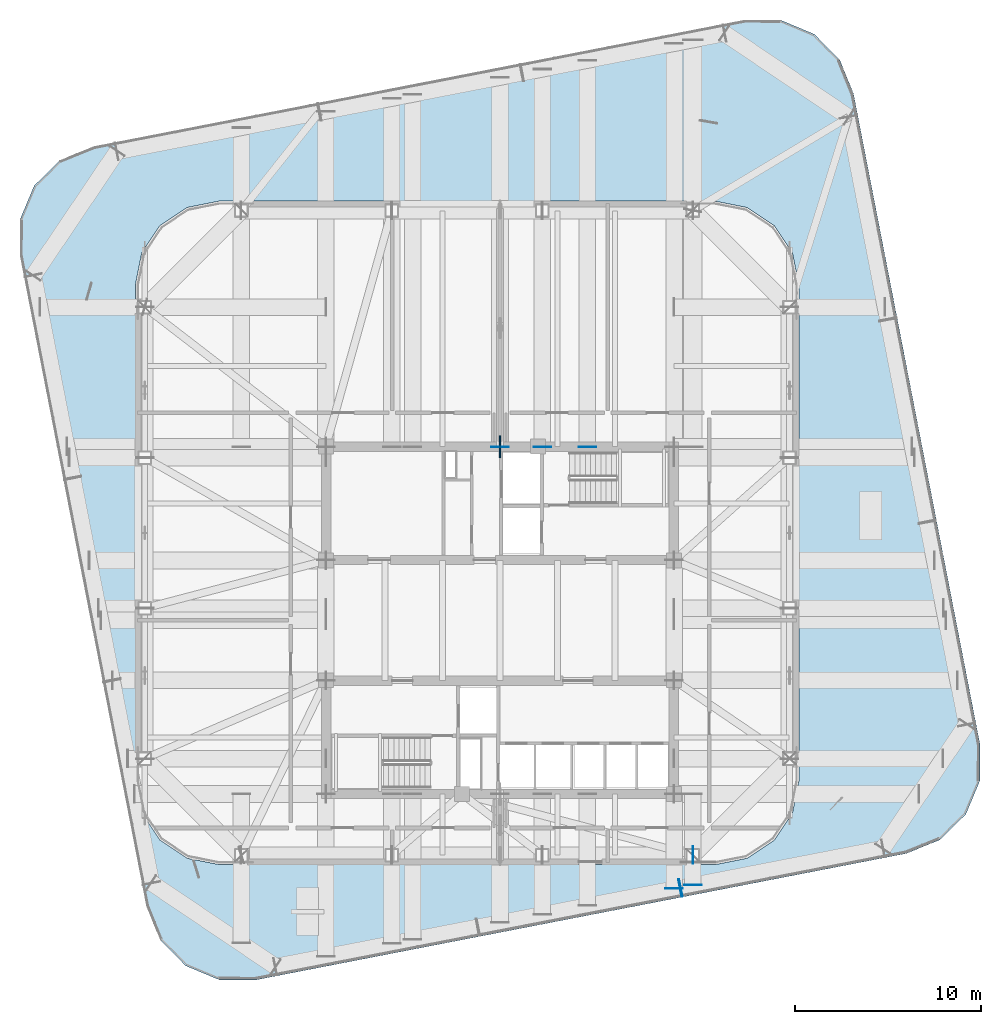
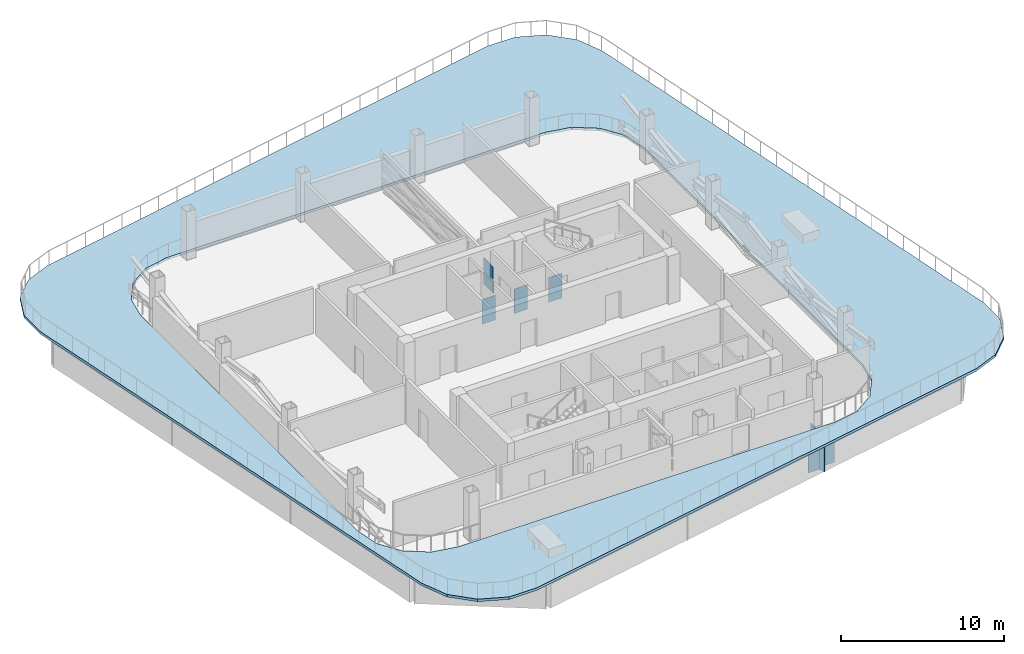
# One storey, part 5 of 14: 10 plates, 1 slab.
"""IFC4 building model written with IfcOpenShell, lengths in metres."""

from ifc_helpers import new_model, si_unit, direction, frame, origin, origin_2d, place, context, subcontext, project, spatial, polyline, rectangle, outline, extrude, material, layer, layer_set, type_object, element, save


model = new_model("IFC4")

# Units and contexts
model_context = context("Model", 3, precision=1e-05, world=origin(), true_north=direction((0.0, 1.0)))
body_context = subcontext(model_context, "Body", "Model", "MODEL_VIEW")
ifc_project = project(units=[si_unit("LENGTHUNIT", "METRE"), si_unit("AREAUNIT", "SQUARE_METRE"), si_unit("VOLUMEUNIT", "CUBIC_METRE"), si_unit("PLANEANGLEUNIT", "RADIAN"), si_unit("MASSUNIT", "GRAM", prefix="KILO")], contexts=[model_context])

# Site, building, storey
site_placement = place(None, origin())
site = spatial("IfcSite", under=ifc_project, at=site_placement, CompositionType="ELEMENT")
building_placement = place(site_placement, origin())
building = spatial("IfcBuilding", under=site, at=building_placement, Name="Qhalaya Broadcast Tower", CompositionType="ELEMENT")
storey_placement = place(building_placement, frame((0.0, 0.0, 144.60009765625)))
storey = spatial("IfcBuildingStorey", under=building, at=storey_placement, Name="L42", CompositionType="ELEMENT", Elevation=144.60009765625)

# Plates
ifc_material_1 = material(Name="Structural Steel ASTM A572 Grade 50", Category="steel")
ifc_layer_1 = layer(ifc_material_1, 0.4599609375, Name="Structural Steel ASTM A572 Grade 50")
ifc_layer_set_1 = layer_set([ifc_layer_1], Name="Structural Steel ASTM A572 Grade 50")
plate_type_1 = type_object("IfcPlateType", Name="Hollow Box Member End Cap Plate CP-01", PredefinedType="USERDEFINED", material=ifc_layer_set_1)
for number, where, z_axis, x_axis, name in (
    (1, (10.39599609375, -12.0400390625, -2.10009765625), (0.0, 0.0, 1.0), (0.0, 1.0, 0.0), "L42 Hollow Girder End Cap L42-SPR-03-B"),
    (2, (9.728271484375, -13.79736328125, -2.10009765625), (0.0, 0.0, 1.0), (-0.190808995377, 0.981627183448, 0.0), "L42 Hollow Girder End Cap L42-TGL-02-B"),
    (3, (9.697021484375, -13.803466796875, -2.10009765625), (0.0, 0.0, 1.0), (-0.190808995377, 0.981627183448, 0.0), "L42 Hollow Girder End Cap L42-TGL-03-A"),
    (4, (0.0, 9.93408203125, -2.10009765625), (0.0, 0.0, 1.0), (-1.0, 0.0, 0.0), "L42 Hollow Girder End Cap L42-TGIMN-1-A"),
    (5, (4.699951171875, 9.93408203125, -2.10009765625), (0.0, 0.0, 1.0), (-1.0, 0.0, 0.0), "L42 Hollow Girder End Cap L42-TGIMNE-1-A"),
    (6, (9.375, -13.84130859375, -2.10009765625), (0.0, 0.0, 1.0), (-1.0, 0.0, 0.0), "L42 Hollow Girder End Cap L42-TGISE-1-A"),
    (7, (10.3798828125, -13.64599609375, -2.10009765625), (0.0, 0.0, 1.0), (-1.0, 0.0, 0.0), "L42 Hollow Girder End Cap L42-TGC-04-A"),
    (8, (2.280029296875, 9.93408203125, -2.10009765625), (0.0, 0.0, 1.0), (-1.0, 0.0, 0.0), "L42 Hollow Girder End Cap L42-TGC-10-A"),
):
    element("IfcPlate", number, at=place(storey_placement, frame(where, z_axis=z_axis, x_axis=x_axis)), inside=storey, type_object=plate_type_1, Name=name, ObjectType="COVER_PLATE", PredefinedType="USERDEFINED", context=body_context, shape_type="SweptSolid", body=[
        extrude(rectangle(XDim=0.93994140625, YDim=0.031982421875, at=origin_2d()), origin(), (0.0, 0.0, 1.0), 1.840087890625),
    ])
ifc_layer_2 = layer(ifc_material_1, 0.06005859375, Name="Structural Steel ASTM A572 Grade 50")
ifc_layer_set_2 = layer_set([ifc_layer_2], Name="Structural Steel ASTM A572 Grade 50")
plate_type_2 = type_object("IfcPlateType", Name="Outrigger Core Embed Gusset Plate NP-02", PredefinedType="USERDEFINED", material=ifc_layer_set_2)
for number, where, z_axis, x_axis, name in (
    (9, (0.0, 9.949951171875, 0.39990234375), (0.0, 0.0, 1.0), (0.0, 1.0, 0.0), "L42 Outrigger Gusset Node NC-C0"),
    (10, (0.0, 9.949951171875, 1.449951171875), (0.0, 0.0, 1.0), (0.0, 1.0, 0.0), "L42 Outrigger Gusset Node NC-C1"),
):
    element("IfcPlate", number, at=place(storey_placement, frame(where, z_axis=z_axis, x_axis=x_axis)), inside=storey, type_object=plate_type_2, Name=name, ObjectType="GUSSET_PLATE", PredefinedType="USERDEFINED", context=body_context, shape_type="SweptSolid", body=[
        extrude(rectangle(XDim=1.199951171875, YDim=0.06005859375, at=origin_2d()), origin(), (0.0, 0.0, 1.0), 0.89990234375),
    ])

# Slab
ifc_material_2 = material(Name="Concrete C40/50", Category="concrete")
ifc_layer_3 = layer(ifc_material_2, 0.25, Name="Concrete C40/50")
ifc_layer_set_3 = layer_set([ifc_layer_3], Name="Concrete C40/50")
slab_type = type_object("IfcSlabType", Name="Planted Sky-Garden & Sky-Pool External Terrace Slab 250", PredefinedType="FLOOR", material=ifc_layer_set_3)
slab_placement = place(storey_placement, frame((0.0, 0.0, -0.190185546875)))
element("IfcSlab", 11, at=slab_placement, inside=storey, type_object=slab_type, Name="L42 Planted Sky Garden Terrace 1", PredefinedType="FLOOR", context=body_context, shape_type="SweptSolid", body=[
    extrude(outline(polyline([(21.882080078125, -11.944091796875), (23.687744140625, -11.20556640625), (25.0732421875, -9.83203125), (25.82763671875, -8.032958984375), (25.836181640625, -6.08203125), (19.024169921875, 28.9619140625), (18.285400390625, 30.767578125), (16.912109375, 32.1533203125), (15.11279296875, 32.90771484375), (13.162109375, 32.916015625), (-21.882080078125, 26.104248046875), (-23.687744140625, 25.365478515625), (-25.0732421875, 23.9921875), (-25.82763671875, 22.19287109375), (-25.836181640625, 20.2421875), (-19.024169921875, -14.802001953125), (-18.285400390625, -16.607666015625), (-16.912109375, -17.9931640625), (-15.11279296875, -18.74755859375), (-13.162109375, -18.756103515625), (21.882080078125, -11.944091796875)]), holes=[polyline([(11.580078125, -12.5439453125), (-15.1201171875, -12.5439453125), (-15.120361328125, -12.5439453125), (-15.120849609375, -12.5439453125), (-16.843017578125, -12.201416015625), (-16.84326171875, -12.201416015625), (-16.843505859375, -12.201171875), (-16.843994140625, -12.200927734375), (-16.84423828125, -12.20068359375), (-18.30419921875, -11.225341796875), (-18.304443359375, -11.22509765625), (-18.3046875, -11.224853515625), (-18.30517578125, -11.224609375), (-18.305419921875, -11.22412109375), (-19.28076171875, -9.764404296875), (-19.281005859375, -9.763916015625), (-19.28125, -9.763671875), (-19.28125, -9.76318359375), (-19.281494140625, -9.762939453125), (-19.623779296875, -8.040771484375), (-19.6240234375, -8.040283203125), (-19.6240234375, -8.0400390625), (-19.6240234375, 18.659912109375), (-19.6240234375, 18.660400390625), (-19.623779296875, 18.660888671875), (-19.281494140625, 20.3828125), (-19.28125, 20.38330078125), (-19.28125, 20.383544921875), (-19.281005859375, 20.384033203125), (-19.28076171875, 20.38427734375), (-18.305419921875, 21.84423828125), (-18.30517578125, 21.844482421875), (-18.3046875, 21.8447265625), (-18.304443359375, 21.84521484375), (-18.30419921875, 21.84521484375), (-16.84423828125, 22.82080078125), (-16.843994140625, 22.821044921875), (-16.843505859375, 22.8212890625), (-16.84326171875, 22.8212890625), (-16.843017578125, 22.8212890625), (-15.120849609375, 23.163818359375), (-15.120361328125, 23.1640625), (-15.1201171875, 23.1640625), (11.580078125, 23.1640625), (11.580322265625, 23.1640625), (11.580810546875, 23.163818359375), (13.302978515625, 22.8212890625), (13.30322265625, 22.8212890625), (13.3037109375, 22.8212890625), (13.303955078125, 22.821044921875), (13.30419921875, 22.82080078125), (14.76416015625, 21.84521484375), (14.764404296875, 21.84521484375), (14.764892578125, 21.8447265625), (14.76513671875, 21.844482421875), (14.765380859375, 21.84423828125), (15.74072265625, 20.38427734375), (15.740966796875, 20.384033203125), (15.7412109375, 20.383544921875), (15.7412109375, 20.38330078125), (15.741455078125, 20.3828125), (16.083984375, 18.660888671875), (16.083984375, 18.660400390625), (16.083984375, 18.659912109375), (16.083984375, -8.0400390625), (16.083984375, -8.040283203125), (16.083984375, -8.040771484375), (15.741455078125, -9.762939453125), (15.7412109375, -9.76318359375), (15.7412109375, -9.763671875), (15.740966796875, -9.763916015625), (15.74072265625, -9.764404296875), (14.765380859375, -11.22412109375), (14.76513671875, -11.224609375), (14.764892578125, -11.224853515625), (14.764404296875, -11.22509765625), (14.76416015625, -11.225341796875), (13.30419921875, -12.20068359375), (13.303955078125, -12.200927734375), (13.3037109375, -12.201171875), (13.30322265625, -12.201416015625), (13.302978515625, -12.201416015625), (11.580810546875, -12.5439453125), (11.580322265625, -12.5439453125), (11.580078125, -12.5439453125)])]), origin(), (0.0, 0.0, 1.0), 0.190185546875),
])

save(model, "model.ifc")
